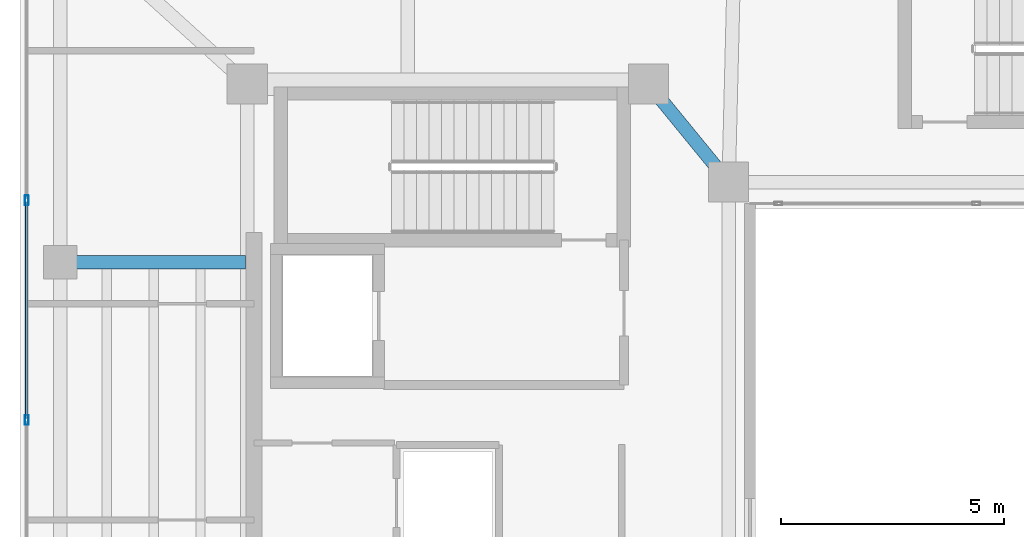
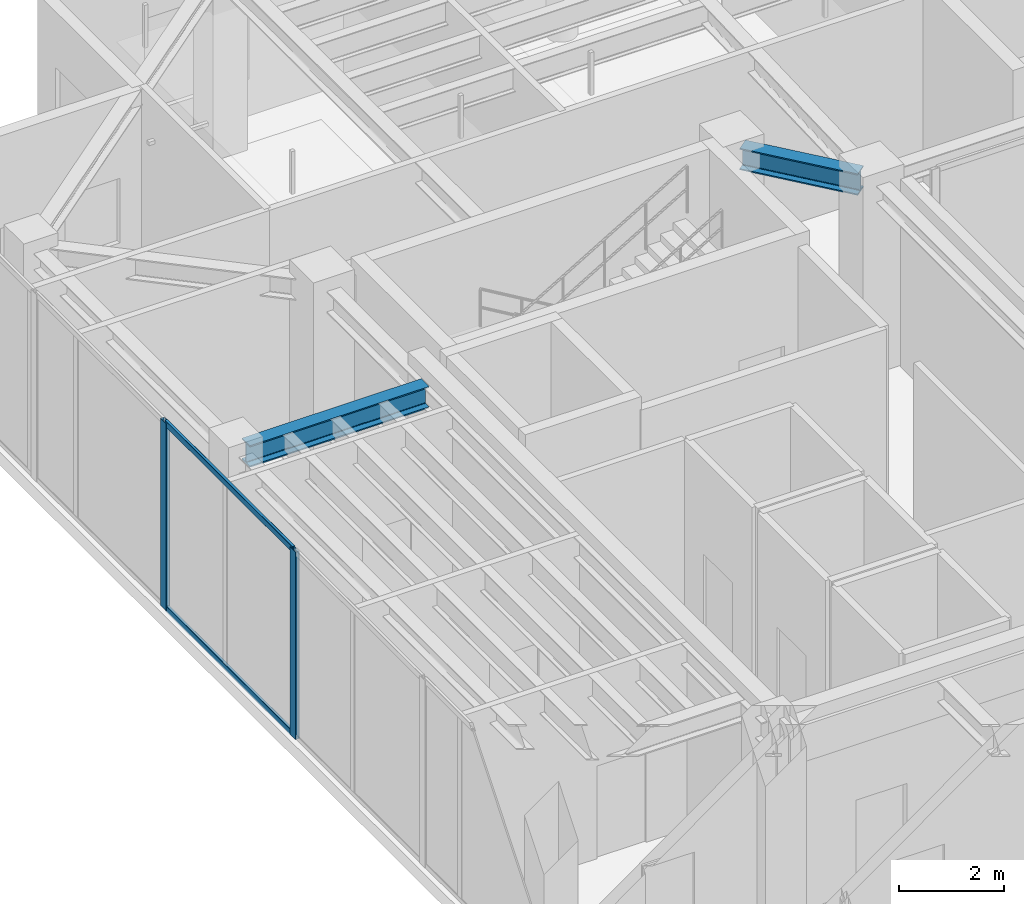
# One storey, part 10 of 34: 4 members, 2 beams, 1 element without a shape of its own.
"""IFC4 building model written with IfcOpenShell, lengths in metres."""

from ifc_helpers import new_model, si_unit, direction, frame, origin, origin_2d, place, context, subcontext, project, spatial, hollow_rectangle, i_section, extrude, material, layer, layer_set, material_profile, profile_set, type_object, element, aggregate, save


model = new_model("IFC4")

# Units and contexts
model_context = context("Model", 3, precision=1e-05, world=origin(), true_north=direction((0.0, 1.0)))
body_context = subcontext(model_context, "Body", "Model", "MODEL_VIEW")
ifc_project = project(units=[si_unit("LENGTHUNIT", "METRE"), si_unit("AREAUNIT", "SQUARE_METRE"), si_unit("VOLUMEUNIT", "CUBIC_METRE"), si_unit("PLANEANGLEUNIT", "RADIAN"), si_unit("MASSUNIT", "GRAM", prefix="KILO")], contexts=[model_context])

# Site, building, storey
site_placement = place(None, origin())
site = spatial("IfcSite", under=ifc_project, at=site_placement, CompositionType="ELEMENT")
building_placement = place(site_placement, origin())
building = spatial("IfcBuilding", under=site, at=building_placement, Name="Tarnavaz Court Tower", CompositionType="ELEMENT")
storey_placement = place(building_placement, frame((0.0, 0.0, 231.75)))
storey = spatial("IfcBuildingStorey", under=building, at=storey_placement, Name="L63", CompositionType="ELEMENT", Elevation=231.75)

# Beams
ifc_material_1 = material(Name="Steel S355", Category="steel")
ifc_material_profile_1 = material_profile(ifc_material_1, i_section(OverallWidth=0.300048828125, OverallDepth=0.5, WebThickness=0.014404296875, FlangeThickness=0.028076171875, FilletRadius=0.027099609375, at=origin_2d()), Name="HEB 500")
ifc_profile_set_1 = profile_set([ifc_material_profile_1], Name="Steel S355")
beam_type = type_object("IfcBeamType", Name="BM-G-HEB500", PredefinedType="USERDEFINED", material=ifc_profile_set_1)
beam_1_placement = place(storey_placement, frame((-9.460693359375, 9.82958984375, 4.10009765625), z_axis=(0.633282058357, -0.773921077735, 0.0), x_axis=(0.773921077735, 0.633282058357, 0.0)))
element("IfcBeam", 1, at=beam_1_placement, inside=storey, type_object=beam_type, Name="L63 Beam IN-CW-NI-IW-NW", ObjectType="GIRDER", PredefinedType="USERDEFINED", context=body_context, shape_type="SweptSolid", body=[
    extrude(i_section(OverallWidth=0.300048828125, OverallDepth=0.5, WebThickness=0.014404296875, FlangeThickness=0.028076171875, FilletRadius=0.027099609375, at=origin_2d()), origin(), (0.0, 0.0, 1.0), 2.402587890625),
])
beam_2_placement = place(storey_placement, frame((-18.639892578125, 6.0, 4.10009765625), z_axis=(-1.0, 0.0, 0.0), x_axis=(0.0, -1.0, 0.0)))
element("IfcBeam", 2, at=beam_2_placement, inside=storey, type_object=beam_type, Name="L63 Beam RG-14", ObjectType="GIRDER", PredefinedType="USERDEFINED", context=body_context, shape_type="SweptSolid", body=[
    extrude(i_section(OverallWidth=0.300048828125, OverallDepth=0.5, WebThickness=0.014404296875, FlangeThickness=0.028076171875, FilletRadius=0.027099609375, at=origin_2d()), origin(), (0.0, 0.0, 1.0), 3.940185546875),
])

# Curtain wall, members
ifc_material_2 = material(Name="Anodised Aluminium 6063-T6 and Solar Low-E Glazing", Category="aluminium")
ifc_layer = layer(ifc_material_2, 0.199951171875)
ifc_layer_set = layer_set([ifc_layer], Name="Anodised Aluminium 6063-T6 and Solar Low-E Glazing")
curtain_wall_type = type_object("IfcCurtainWallType", Name="CW-SYS-05", PredefinedType="NOTDEFINED", material=ifc_layer_set)
curtain_wall_placement = place(storey_placement, origin())
curtain_wall = element("IfcCurtainWall", 3, at=curtain_wall_placement, inside=storey, type_object=curtain_wall_type, Name="L63 Sky-Portal Curtain Wall 2", PredefinedType="NOTDEFINED")
ifc_material_3 = material(Name="Anodised Aluminium 6063-T6", Category="aluminium")
ifc_material_profile_2 = material_profile(ifc_material_3, hollow_rectangle(XDim=0.0849609375, YDim=0.219970703125, WallThickness=0.006103515625, InnerFilletRadius=0.006103515625, OuterFilletRadius=0.011962890625, at=origin_2d()), Name="ALU RHS 220X85X6")
ifc_profile_set_2 = profile_set([ifc_material_profile_2], Name="Anodised Aluminium 6063-T6")
member_type_1 = type_object("IfcMemberType", Name="CW-MUL-220", PredefinedType="MULLION", material=ifc_profile_set_2)
member_1_placement = place(storey_placement, frame((-23.550048828125, 2.46435546875, 0.0), z_axis=(0.0, 0.0, 1.0), x_axis=(-1.0, 0.0, 0.0)))
member_1 = element("IfcMember", 4, at=member_1_placement, type_object=member_type_1, Name="CW mullion 5", PredefinedType="MULLION", context=body_context, shape_type="SweptSolid", body=[
    extrude(hollow_rectangle(XDim=0.0849609375, YDim=0.219970703125, WallThickness=0.006103515625, InnerFilletRadius=0.006103515625, OuterFilletRadius=0.011962890625, at=origin_2d()), origin(), (0.0, 0.0, 1.0), 4.35009765625),
])
member_2_placement = place(storey_placement, frame((-23.550048828125, 7.392822265625, 0.0), z_axis=(0.0, 0.0, 1.0), x_axis=(-1.0, 0.0, 0.0)))
member_2 = element("IfcMember", 5, at=member_2_placement, type_object=member_type_1, Name="CW mullion 6", PredefinedType="MULLION", context=body_context, shape_type="SweptSolid", body=[
    extrude(hollow_rectangle(XDim=0.0849609375, YDim=0.219970703125, WallThickness=0.006103515625, InnerFilletRadius=0.006103515625, OuterFilletRadius=0.011962890625, at=origin_2d()), origin(), (0.0, 0.0, 1.0), 4.35009765625),
])
ifc_material_profile_3 = material_profile(ifc_material_3, hollow_rectangle(XDim=0.06494140625, YDim=0.139892578125, WallThickness=0.00390625, InnerFilletRadius=0.00390625, OuterFilletRadius=0.008056640625, at=origin_2d()), Name="ALU RHS 140X65X4")
ifc_profile_set_3 = profile_set([ifc_material_profile_3], Name="Anodised Aluminium 6063-T6")
member_type_2 = type_object("IfcMemberType", Name="CW-TRN-140", PredefinedType="USERDEFINED", material=ifc_profile_set_3)
member_3_placement = place(storey_placement, frame((-23.550048828125, 2.5068359375, 0.032470703125), z_axis=(0.0, 1.0, 0.0), x_axis=(-1.0, 0.0, 0.0)))
member_3 = element("IfcMember", 6, at=member_3_placement, type_object=member_type_2, Name="CW transom 5.1", ObjectType="TRANSOM", PredefinedType="USERDEFINED", context=body_context, shape_type="SweptSolid", body=[
    extrude(hollow_rectangle(XDim=0.06494140625, YDim=0.139892578125, WallThickness=0.00390625, InnerFilletRadius=0.00390625, OuterFilletRadius=0.008056640625, at=origin_2d()), origin(), (0.0, 0.0, 1.0), 4.843505859375),
])
member_4_placement = place(storey_placement, frame((-23.550048828125, 2.5068359375, 4.3173828125), z_axis=(0.0, 1.0, 0.0), x_axis=(-1.0, 0.0, 0.0)))
member_4 = element("IfcMember", 7, at=member_4_placement, type_object=member_type_2, Name="CW transom 5.2", ObjectType="TRANSOM", PredefinedType="USERDEFINED", context=body_context, shape_type="SweptSolid", body=[
    extrude(hollow_rectangle(XDim=0.06494140625, YDim=0.139892578125, WallThickness=0.00390625, InnerFilletRadius=0.00390625, OuterFilletRadius=0.008056640625, at=origin_2d()), origin(), (0.0, 0.0, 1.0), 4.843505859375),
])
aggregate(curtain_wall, [member_1, member_2, member_3, member_4])

save(model, "model.ifc")
